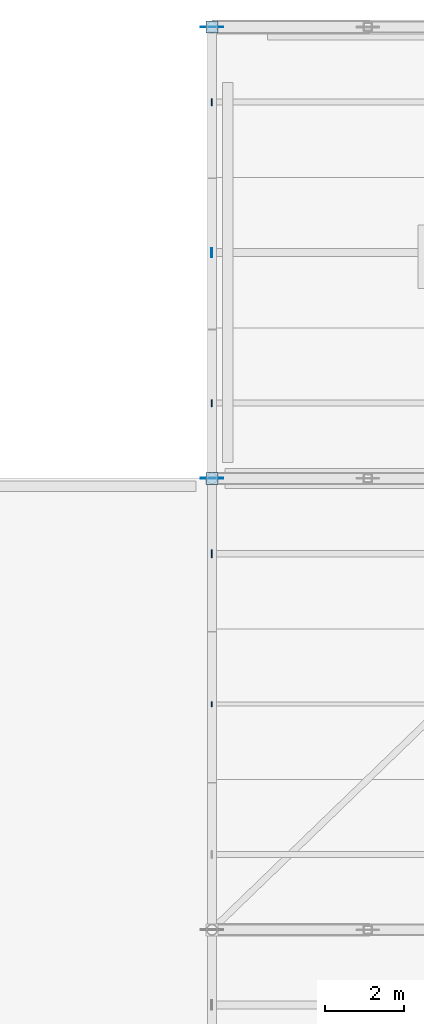
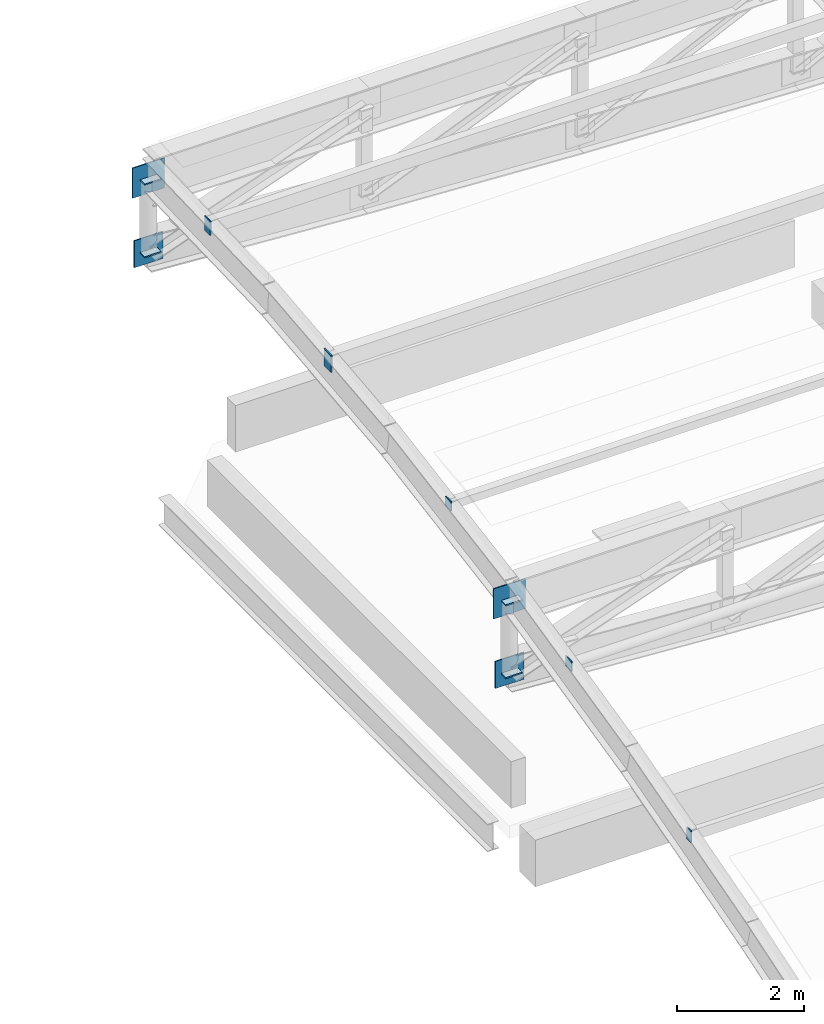
# One storey, part 37 of 65: 13 plates.
"""IFC4 building model written with IfcOpenShell, lengths in metres."""

from ifc_helpers import new_model, si_unit, direction, frame, origin, origin_2d, place, context, subcontext, project, spatial, rectangle, extrude, material, layer, layer_set, type_object, element, save


model = new_model("IFC4")

# Units and contexts
model_context = context("Model", 3, precision=1e-05, world=origin(), true_north=direction((0.0, 1.0)))
body_context = subcontext(model_context, "Body", "Model", "MODEL_VIEW")
ifc_project = project(units=[si_unit("LENGTHUNIT", "METRE"), si_unit("AREAUNIT", "SQUARE_METRE"), si_unit("VOLUMEUNIT", "CUBIC_METRE"), si_unit("PLANEANGLEUNIT", "RADIAN"), si_unit("MASSUNIT", "GRAM", prefix="KILO"), si_unit("POWERUNIT", "WATT"), si_unit("THERMODYNAMICTEMPERATUREUNIT", "KELVIN")], contexts=[model_context])

# Site, building, storey
site_placement = place(None, origin())
site = spatial("IfcSite", under=ifc_project, at=site_placement, CompositionType="ELEMENT")
building_placement = place(site_placement, origin())
building = spatial("IfcBuilding", under=site, at=building_placement, Name="Kelmbourne Parkland Aquatics Centre", CompositionType="ELEMENT")
storey_placement = place(building_placement, frame((0.0, 0.0, 27.0)))
storey = spatial("IfcBuildingStorey", under=building, at=storey_placement, Name="RF", CompositionType="ELEMENT", Elevation=27.0)

# Plates
ifc_material = material(Name="Welded plate steel AS/NZS 3678 Grade 350", Category="steel")
ifc_layer_1 = layer(ifc_material, 0.02001953125)
ifc_layer_set_1 = layer_set([ifc_layer_1], Name="Welded plate steel AS/NZS 3678 Grade 350")
plate_type_1 = type_object("IfcPlateType", Name="PL-CAP-20", PredefinedType="USERDEFINED", material=ifc_layer_set_1)
plate_1_placement = place(storey_placement, frame((127.990966796875, 97.699951171875, -1.222412109375), z_axis=(0.0, 0.0, 1.0), x_axis=(-1.0, 0.0, 0.0)))
element("IfcPlate", 1, at=plate_1_placement, inside=storey, type_object=plate_type_1, Name="Hollow end cap plate CAP-0501", ObjectType="END CAP PLATE", PredefinedType="USERDEFINED", context=body_context, shape_type="SweptSolid", body=[
    extrude(rectangle(XDim=0.02001953125, YDim=0.1298828125, at=origin_2d()), origin(), (0.0, 0.0, 1.0), 0.22998046875),
])
plate_2_placement = place(storey_placement, frame((127.990966796875, 101.5, -0.21142578125), z_axis=(0.0, 0.0, 1.0), x_axis=(-1.0, 0.0, 0.0)))
element("IfcPlate", 2, at=plate_2_placement, inside=storey, type_object=plate_type_1, Name="Hollow end cap plate CAP-0509", ObjectType="END CAP PLATE", PredefinedType="USERDEFINED", context=body_context, shape_type="SweptSolid", body=[
    extrude(rectangle(XDim=0.02001953125, YDim=0.1982421875, at=origin_2d()), origin(), (0.0, 0.0, 1.0), 0.1982421875),
])
plate_3_placement = place(storey_placement, frame((127.990966796875, 105.300048828125, 0.57666015625), z_axis=(0.0, 0.0, 1.0), x_axis=(-1.0, 0.0, 0.0)))
element("IfcPlate", 3, at=plate_3_placement, inside=storey, type_object=plate_type_1, Name="Hollow end cap plate CAP-0517", ObjectType="END CAP PLATE", PredefinedType="USERDEFINED", context=body_context, shape_type="SweptSolid", body=[
    extrude(rectangle(XDim=0.02001953125, YDim=0.179931640625, at=origin_2d()), origin(), (0.0, 0.0, 1.0), 0.179931640625),
])
plate_4_placement = place(storey_placement, frame((127.990966796875, 112.89990234375, 1.27685546875), z_axis=(0.0, 0.0, 1.0), x_axis=(-1.0, 0.0, 0.0)))
element("IfcPlate", 4, at=plate_4_placement, inside=storey, type_object=plate_type_1, Name="Hollow end cap plate CAP-0533", ObjectType="END CAP PLATE", PredefinedType="USERDEFINED", context=body_context, shape_type="SweptSolid", body=[
    extrude(rectangle(XDim=0.02001953125, YDim=0.179931640625, at=origin_2d()), origin(), (0.0, 0.0, 1.0), 0.280029296875),
])
ifc_layer_2 = layer(ifc_material, 0.02392578125)
ifc_layer_set_2 = layer_set([ifc_layer_2], Name="Welded plate steel AS/NZS 3678 Grade 350")
plate_type_2 = type_object("IfcPlateType", Name="PL-CAP-24", PredefinedType="USERDEFINED", material=ifc_layer_set_2)
for number, where, z_axis, x_axis, name in (
    (5, (128.0, 103.39990234375, -1.419677734375), (0.0, 0.0, 1.0), (1.0, 0.0, 0.0), "Hollow end cap plate CAP-0249"),
    (6, (128.0, 103.39990234375, -0.017578125), (0.0, 0.0, 1.0), (1.0, 0.0, 0.0), "Hollow end cap plate CAP-0250"),
    (7, (128.0, 114.800048828125, -0.222900390625), (0.0, 0.0, 1.0), (1.0, 0.0, 0.0), "Hollow end cap plate CAP-0275"),
    (8, (128.0, 114.800048828125, 1.178955078125), (0.0, 0.0, 1.0), (1.0, 0.0, 0.0), "Hollow end cap plate CAP-0276"),
):
    element("IfcPlate", number, at=place(storey_placement, frame(where, z_axis=z_axis, x_axis=x_axis)), inside=storey, type_object=plate_type_2, Name=name, ObjectType="END CAP PLATE", PredefinedType="USERDEFINED", context=body_context, shape_type="SweptSolid", body=[
        extrude(rectangle(XDim=0.302978515625, YDim=0.302978515625, at=origin_2d()), origin(), (0.0, 0.0, 1.0), 0.02392578125),
    ])
plate_5_placement = place(storey_placement, frame((127.989013671875, 109.10009765625, 0.95654296875), z_axis=(0.0, 0.0, 1.0), x_axis=(-1.0, 0.0, 0.0)))
element("IfcPlate", 9, at=plate_5_placement, inside=storey, type_object=plate_type_2, Name="Hollow end cap plate CAP-0525", ObjectType="END CAP PLATE", PredefinedType="USERDEFINED", context=body_context, shape_type="SweptSolid", body=[
    extrude(rectangle(XDim=0.02392578125, YDim=0.22998046875, at=origin_2d()), origin(), (0.0, 0.0, 1.0), 0.330078125),
])
ifc_layer_3 = layer(ifc_material, 0.02001953125)
ifc_layer_set_3 = layer_set([ifc_layer_3], Name="Welded plate steel AS/NZS 3678 Grade 350")
plate_type_3 = type_object("IfcPlateType", Name="PL-GUS-1", PredefinedType="USERDEFINED", material=ifc_layer_set_3)
plate_6_placement = place(storey_placement, frame((128.0, 103.39990234375, -0.306640625), z_axis=(0.0, 0.0, 1.0), x_axis=(1.0, 0.0, 0.0)))
element("IfcPlate", 10, at=plate_6_placement, inside=storey, type_object=plate_type_3, Name="Truss top node TN-1 gusset plate R09-N0", ObjectType="GUSSET PLATE", PredefinedType="USERDEFINED", context=body_context, shape_type="SweptSolid", body=[
    extrude(rectangle(XDim=0.580078125, YDim=0.02001953125, at=origin_2d()), origin(), (0.0, 0.0, 1.0), 0.580078125),
])
plate_7_placement = place(storey_placement, frame((128.0, 103.39990234375, -1.656494140625), z_axis=(0.0, 0.0, 1.0), x_axis=(1.0, 0.0, 0.0)))
element("IfcPlate", 11, at=plate_7_placement, inside=storey, type_object=plate_type_3, Name="Truss bottom node TN-1 gusset plate R09-B0", ObjectType="GUSSET PLATE", PredefinedType="USERDEFINED", context=body_context, shape_type="SweptSolid", body=[
    extrude(rectangle(XDim=0.52001953125, YDim=0.02001953125, at=origin_2d()), origin(), (0.0, 0.0, 1.0), 0.52001953125),
])
plate_8_placement = place(storey_placement, frame((128.0, 114.800048828125, 0.889892578125), z_axis=(0.0, 0.0, 1.0), x_axis=(1.0, 0.0, 0.0)))
element("IfcPlate", 12, at=plate_8_placement, inside=storey, type_object=plate_type_3, Name="Truss top node TN-1 gusset plate R10-N0", ObjectType="GUSSET PLATE", PredefinedType="USERDEFINED", context=body_context, shape_type="SweptSolid", body=[
    extrude(rectangle(XDim=0.580078125, YDim=0.02001953125, at=origin_2d()), origin(), (0.0, 0.0, 1.0), 0.580078125),
])
plate_9_placement = place(storey_placement, frame((128.0, 114.800048828125, -0.4599609375), z_axis=(0.0, 0.0, 1.0), x_axis=(1.0, 0.0, 0.0)))
element("IfcPlate", 13, at=plate_9_placement, inside=storey, type_object=plate_type_3, Name="Truss bottom node TN-1 gusset plate R10-B0", ObjectType="GUSSET PLATE", PredefinedType="USERDEFINED", context=body_context, shape_type="SweptSolid", body=[
    extrude(rectangle(XDim=0.52001953125, YDim=0.02001953125, at=origin_2d()), origin(), (0.0, 0.0, 1.0), 0.52001953125),
])

save(model, "model.ifc")
